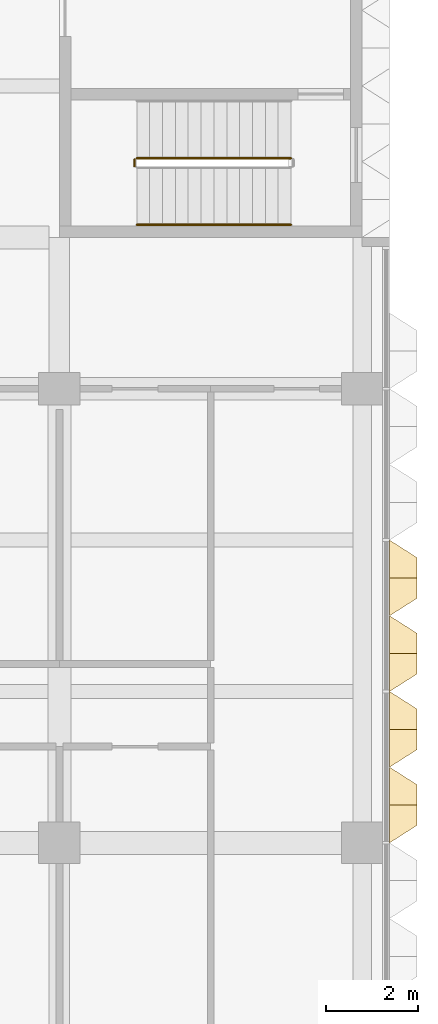
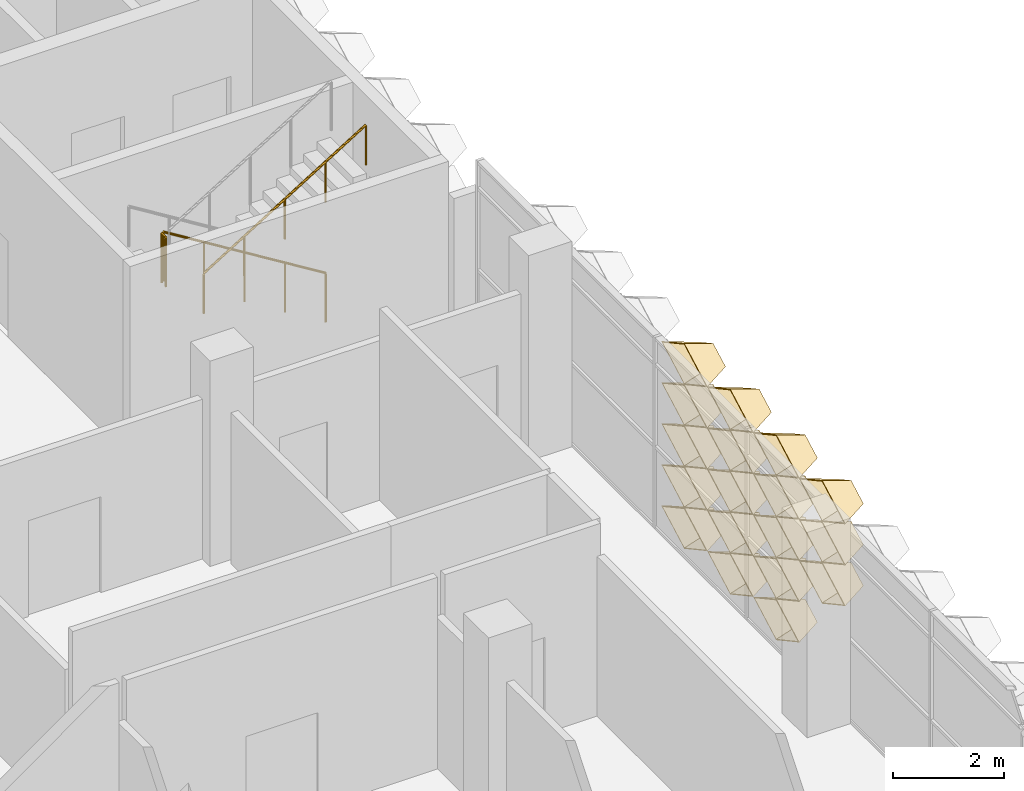
# One storey, part 62 of 87: 18 coverings, 3 railings.
"""IFC4 building model written with IfcOpenShell, lengths in metres."""

from ifc_helpers import new_model, entity, si_unit, direction, frame, origin, origin_2d, place, context, subcontext, project, spatial, circle, extrude, material, layer, layer_set, type_object, element, save


model = new_model("IFC4")

# Units and contexts
model_context = context("Model", 3, precision=1e-05, world=origin(), true_north=direction((0.0, 1.0)))
body_context = subcontext(model_context, "Body", "Model", "MODEL_VIEW")
ifc_project = project(units=[si_unit("LENGTHUNIT", "METRE"), si_unit("AREAUNIT", "SQUARE_METRE"), si_unit("VOLUMEUNIT", "CUBIC_METRE"), si_unit("PLANEANGLEUNIT", "RADIAN"), si_unit("MASSUNIT", "GRAM", prefix="KILO")], contexts=[model_context])

# Site, building, storey
site_placement = place(None, origin())
site = spatial("IfcSite", under=ifc_project, at=site_placement, CompositionType="ELEMENT")
building_placement = place(site_placement, origin())
building = spatial("IfcBuilding", under=site, at=building_placement, Name="Lantern Court Research Institute", CompositionType="ELEMENT")
storey_placement = place(building_placement, frame((0.0, 0.0, 5.39990234375)))
storey = spatial("IfcBuildingStorey", under=building, at=storey_placement, Name="L01", CompositionType="ELEMENT", Elevation=5.39990234375)

# Coverings
ifc_material_1 = material(Name="Anodised aluminium", Category="aluminium")
ifc_layer = layer(ifc_material_1, 0.01611328125)
ifc_layer_set = layer_set([ifc_layer], Name="Anodised aluminium")
covering_type = type_object("IfcCoveringType", Name="Fin cassette 1650 x 900 x 600 aluminium", PredefinedType="CLADDING", material=ifc_layer_set)
covering_1_placement = place(storey_placement, frame((79.800048828125, 2.47509765625, 0.4501953125), z_axis=(1.0, 0.0, 0.0), x_axis=(0.0, 1.0, 0.0)))
cartesian_point_1 = entity("IfcCartesianPoint", [0.824951171875, 0.0])
cartesian_point_2 = entity("IfcCartesianPoint", [0.79150390625, 0.0])
cartesian_point_3 = entity("IfcCartesianPoint", [0.44189453125, 0.0])
cartesian_point_4 = entity("IfcCartesianPoint", [0.43359375, 0.0])
element("IfcCovering", 1, at=covering_1_placement, inside=storey, type_object=covering_type, Name="Fin cassette V5E-L01 1.2", PredefinedType="CLADDING", context=body_context, shape_type="SweptSolid", body=[
    entity("IfcExtrudedAreaSolidTapered", entity("IfcArbitraryProfileDefWithVoids", "AREA", None, entity("IfcPolyline", [cartesian_point_1, entity("IfcCartesianPoint", [0.0, 0.449951171875]), entity("IfcCartesianPoint", [-0.824951171875, 0.0]), entity("IfcCartesianPoint", [0.0, -0.449951171875]), cartesian_point_1]), [entity("IfcPolyline", [cartesian_point_2, entity("IfcCartesianPoint", [0.0, 0.431884765625]), entity("IfcCartesianPoint", [-0.79150390625, 0.0]), entity("IfcCartesianPoint", [0.0, -0.431884765625]), cartesian_point_2])]), entity("IfcAxis2Placement3D", entity("IfcCartesianPoint", [0.0, 0.0, 0.0])), entity("IfcDirection", [0.0, 0.0, 1.0]), 0.60009765625, entity("IfcArbitraryProfileDefWithVoids", "AREA", None, entity("IfcPolyline", [cartesian_point_3, entity("IfcCartesianPoint", [0.0, 0.240966796875]), entity("IfcCartesianPoint", [-0.44189453125, 0.0]), entity("IfcCartesianPoint", [0.0, -0.240966796875]), cartesian_point_3]), [entity("IfcPolyline", [cartesian_point_4, entity("IfcCartesianPoint", [0.0, 0.236572265625]), entity("IfcCartesianPoint", [-0.43359375, 0.0]), entity("IfcCartesianPoint", [0.0, -0.236572265625]), cartesian_point_4])])),
])
covering_2_placement = place(storey_placement, frame((79.800048828125, 4.125, 0.4501953125), z_axis=(1.0, 0.0, 0.0), x_axis=(0.0, 1.0, 0.0)))
cartesian_point_5 = entity("IfcCartesianPoint", [0.824951171875, 0.0])
cartesian_point_6 = entity("IfcCartesianPoint", [0.79150390625, 0.0])
cartesian_point_7 = entity("IfcCartesianPoint", [0.44189453125, 0.0])
cartesian_point_8 = entity("IfcCartesianPoint", [0.43359375, 0.0])
element("IfcCovering", 2, at=covering_2_placement, inside=storey, type_object=covering_type, Name="Fin cassette V5E-L01 1.3", PredefinedType="CLADDING", context=body_context, shape_type="SweptSolid", body=[
    entity("IfcExtrudedAreaSolidTapered", entity("IfcArbitraryProfileDefWithVoids", "AREA", None, entity("IfcPolyline", [cartesian_point_5, entity("IfcCartesianPoint", [0.0, 0.449951171875]), entity("IfcCartesianPoint", [-0.824951171875, 0.0]), entity("IfcCartesianPoint", [0.0, -0.449951171875]), cartesian_point_5]), [entity("IfcPolyline", [cartesian_point_6, entity("IfcCartesianPoint", [0.0, 0.431884765625]), entity("IfcCartesianPoint", [-0.79150390625, 0.0]), entity("IfcCartesianPoint", [0.0, -0.431884765625]), cartesian_point_6])]), entity("IfcAxis2Placement3D", entity("IfcCartesianPoint", [0.0, 0.0, 0.0])), entity("IfcDirection", [0.0, 0.0, 1.0]), 0.60009765625, entity("IfcArbitraryProfileDefWithVoids", "AREA", None, entity("IfcPolyline", [cartesian_point_7, entity("IfcCartesianPoint", [0.0, 0.240966796875]), entity("IfcCartesianPoint", [-0.44189453125, 0.0]), entity("IfcCartesianPoint", [0.0, -0.240966796875]), cartesian_point_7]), [entity("IfcPolyline", [cartesian_point_8, entity("IfcCartesianPoint", [0.0, 0.236572265625]), entity("IfcCartesianPoint", [-0.43359375, 0.0]), entity("IfcCartesianPoint", [0.0, -0.236572265625]), cartesian_point_8])])),
])
covering_3_placement = place(storey_placement, frame((79.800048828125, 5.77490234375, 0.4501953125), z_axis=(1.0, 0.0, 0.0), x_axis=(0.0, 1.0, 0.0)))
cartesian_point_9 = entity("IfcCartesianPoint", [0.824951171875, 0.0])
cartesian_point_10 = entity("IfcCartesianPoint", [0.79150390625, 0.0])
cartesian_point_11 = entity("IfcCartesianPoint", [0.44189453125, 0.0])
cartesian_point_12 = entity("IfcCartesianPoint", [0.43359375, 0.0])
element("IfcCovering", 3, at=covering_3_placement, inside=storey, type_object=covering_type, Name="Fin cassette V5E-L01 1.4", PredefinedType="CLADDING", context=body_context, shape_type="SweptSolid", body=[
    entity("IfcExtrudedAreaSolidTapered", entity("IfcArbitraryProfileDefWithVoids", "AREA", None, entity("IfcPolyline", [cartesian_point_9, entity("IfcCartesianPoint", [0.0, 0.449951171875]), entity("IfcCartesianPoint", [-0.824951171875, 0.0]), entity("IfcCartesianPoint", [0.0, -0.449951171875]), cartesian_point_9]), [entity("IfcPolyline", [cartesian_point_10, entity("IfcCartesianPoint", [0.0, 0.431884765625]), entity("IfcCartesianPoint", [-0.79150390625, 0.0]), entity("IfcCartesianPoint", [0.0, -0.431884765625]), cartesian_point_10])]), entity("IfcAxis2Placement3D", entity("IfcCartesianPoint", [0.0, 0.0, 0.0])), entity("IfcDirection", [0.0, 0.0, 1.0]), 0.60009765625, entity("IfcArbitraryProfileDefWithVoids", "AREA", None, entity("IfcPolyline", [cartesian_point_11, entity("IfcCartesianPoint", [0.0, 0.240966796875]), entity("IfcCartesianPoint", [-0.44189453125, 0.0]), entity("IfcCartesianPoint", [0.0, -0.240966796875]), cartesian_point_11]), [entity("IfcPolyline", [cartesian_point_12, entity("IfcCartesianPoint", [0.0, 0.236572265625]), entity("IfcCartesianPoint", [-0.43359375, 0.0]), entity("IfcCartesianPoint", [0.0, -0.236572265625]), cartesian_point_12])])),
])
covering_4_placement = place(storey_placement, frame((79.800048828125, 2.47509765625, 1.35009765625), z_axis=(1.0, 0.0, 0.0), x_axis=(0.0, 1.0, 0.0)))
cartesian_point_13 = entity("IfcCartesianPoint", [0.824951171875, 0.0])
cartesian_point_14 = entity("IfcCartesianPoint", [0.79150390625, 0.0])
cartesian_point_15 = entity("IfcCartesianPoint", [0.44189453125, 0.0])
cartesian_point_16 = entity("IfcCartesianPoint", [0.43359375, 0.0])
element("IfcCovering", 4, at=covering_4_placement, inside=storey, type_object=covering_type, Name="Fin cassette V5E-L01 2.2", PredefinedType="CLADDING", context=body_context, shape_type="SweptSolid", body=[
    entity("IfcExtrudedAreaSolidTapered", entity("IfcArbitraryProfileDefWithVoids", "AREA", None, entity("IfcPolyline", [cartesian_point_13, entity("IfcCartesianPoint", [0.0, 0.449951171875]), entity("IfcCartesianPoint", [-0.824951171875, 0.0]), entity("IfcCartesianPoint", [0.0, -0.449951171875]), cartesian_point_13]), [entity("IfcPolyline", [cartesian_point_14, entity("IfcCartesianPoint", [0.0, 0.431884765625]), entity("IfcCartesianPoint", [-0.79150390625, 0.0]), entity("IfcCartesianPoint", [0.0, -0.431884765625]), cartesian_point_14])]), entity("IfcAxis2Placement3D", entity("IfcCartesianPoint", [0.0, 0.0, 0.0])), entity("IfcDirection", [0.0, 0.0, 1.0]), 0.60009765625, entity("IfcArbitraryProfileDefWithVoids", "AREA", None, entity("IfcPolyline", [cartesian_point_15, entity("IfcCartesianPoint", [0.0, 0.240966796875]), entity("IfcCartesianPoint", [-0.44189453125, 0.0]), entity("IfcCartesianPoint", [0.0, -0.240966796875]), cartesian_point_15]), [entity("IfcPolyline", [cartesian_point_16, entity("IfcCartesianPoint", [0.0, 0.236572265625]), entity("IfcCartesianPoint", [-0.43359375, 0.0]), entity("IfcCartesianPoint", [0.0, -0.236572265625]), cartesian_point_16])])),
])
covering_5_placement = place(storey_placement, frame((79.800048828125, 4.125, 1.35009765625), z_axis=(1.0, 0.0, 0.0), x_axis=(0.0, 1.0, 0.0)))
cartesian_point_17 = entity("IfcCartesianPoint", [0.824951171875, 0.0])
cartesian_point_18 = entity("IfcCartesianPoint", [0.79150390625, 0.0])
cartesian_point_19 = entity("IfcCartesianPoint", [0.44189453125, 0.0])
cartesian_point_20 = entity("IfcCartesianPoint", [0.43359375, 0.0])
element("IfcCovering", 5, at=covering_5_placement, inside=storey, type_object=covering_type, Name="Fin cassette V5E-L01 2.3", PredefinedType="CLADDING", context=body_context, shape_type="SweptSolid", body=[
    entity("IfcExtrudedAreaSolidTapered", entity("IfcArbitraryProfileDefWithVoids", "AREA", None, entity("IfcPolyline", [cartesian_point_17, entity("IfcCartesianPoint", [0.0, 0.449951171875]), entity("IfcCartesianPoint", [-0.824951171875, 0.0]), entity("IfcCartesianPoint", [0.0, -0.449951171875]), cartesian_point_17]), [entity("IfcPolyline", [cartesian_point_18, entity("IfcCartesianPoint", [0.0, 0.431884765625]), entity("IfcCartesianPoint", [-0.79150390625, 0.0]), entity("IfcCartesianPoint", [0.0, -0.431884765625]), cartesian_point_18])]), entity("IfcAxis2Placement3D", entity("IfcCartesianPoint", [0.0, 0.0, 0.0])), entity("IfcDirection", [0.0, 0.0, 1.0]), 0.60009765625, entity("IfcArbitraryProfileDefWithVoids", "AREA", None, entity("IfcPolyline", [cartesian_point_19, entity("IfcCartesianPoint", [0.0, 0.240966796875]), entity("IfcCartesianPoint", [-0.44189453125, 0.0]), entity("IfcCartesianPoint", [0.0, -0.240966796875]), cartesian_point_19]), [entity("IfcPolyline", [cartesian_point_20, entity("IfcCartesianPoint", [0.0, 0.236572265625]), entity("IfcCartesianPoint", [-0.43359375, 0.0]), entity("IfcCartesianPoint", [0.0, -0.236572265625]), cartesian_point_20])])),
])
covering_6_placement = place(storey_placement, frame((79.800048828125, 5.77490234375, 1.35009765625), z_axis=(1.0, 0.0, 0.0), x_axis=(0.0, 1.0, 0.0)))
cartesian_point_21 = entity("IfcCartesianPoint", [0.824951171875, 0.0])
cartesian_point_22 = entity("IfcCartesianPoint", [0.79150390625, 0.0])
cartesian_point_23 = entity("IfcCartesianPoint", [0.44189453125, 0.0])
cartesian_point_24 = entity("IfcCartesianPoint", [0.43359375, 0.0])
element("IfcCovering", 6, at=covering_6_placement, inside=storey, type_object=covering_type, Name="Fin cassette V5E-L01 2.4", PredefinedType="CLADDING", context=body_context, shape_type="SweptSolid", body=[
    entity("IfcExtrudedAreaSolidTapered", entity("IfcArbitraryProfileDefWithVoids", "AREA", None, entity("IfcPolyline", [cartesian_point_21, entity("IfcCartesianPoint", [0.0, 0.449951171875]), entity("IfcCartesianPoint", [-0.824951171875, 0.0]), entity("IfcCartesianPoint", [0.0, -0.449951171875]), cartesian_point_21]), [entity("IfcPolyline", [cartesian_point_22, entity("IfcCartesianPoint", [0.0, 0.431884765625]), entity("IfcCartesianPoint", [-0.79150390625, 0.0]), entity("IfcCartesianPoint", [0.0, -0.431884765625]), cartesian_point_22])]), entity("IfcAxis2Placement3D", entity("IfcCartesianPoint", [0.0, 0.0, 0.0])), entity("IfcDirection", [0.0, 0.0, 1.0]), 0.60009765625, entity("IfcArbitraryProfileDefWithVoids", "AREA", None, entity("IfcPolyline", [cartesian_point_23, entity("IfcCartesianPoint", [0.0, 0.240966796875]), entity("IfcCartesianPoint", [-0.44189453125, 0.0]), entity("IfcCartesianPoint", [0.0, -0.240966796875]), cartesian_point_23]), [entity("IfcPolyline", [cartesian_point_24, entity("IfcCartesianPoint", [0.0, 0.236572265625]), entity("IfcCartesianPoint", [-0.43359375, 0.0]), entity("IfcCartesianPoint", [0.0, -0.236572265625]), cartesian_point_24])])),
])
covering_7_placement = place(storey_placement, frame((79.800048828125, 0.824951171875, 2.25), z_axis=(1.0, 0.0, 0.0), x_axis=(0.0, 1.0, 0.0)))
cartesian_point_25 = entity("IfcCartesianPoint", [0.824951171875, 0.0])
cartesian_point_26 = entity("IfcCartesianPoint", [0.79150390625, 0.0])
cartesian_point_27 = entity("IfcCartesianPoint", [0.44189453125, 0.0])
cartesian_point_28 = entity("IfcCartesianPoint", [0.43359375, 0.0])
element("IfcCovering", 7, at=covering_7_placement, inside=storey, type_object=covering_type, Name="Fin cassette V5E-L01 3.1", PredefinedType="CLADDING", context=body_context, shape_type="SweptSolid", body=[
    entity("IfcExtrudedAreaSolidTapered", entity("IfcArbitraryProfileDefWithVoids", "AREA", None, entity("IfcPolyline", [cartesian_point_25, entity("IfcCartesianPoint", [0.0, 0.449951171875]), entity("IfcCartesianPoint", [-0.824951171875, 0.0]), entity("IfcCartesianPoint", [0.0, -0.449951171875]), cartesian_point_25]), [entity("IfcPolyline", [cartesian_point_26, entity("IfcCartesianPoint", [0.0, 0.431884765625]), entity("IfcCartesianPoint", [-0.79150390625, 0.0]), entity("IfcCartesianPoint", [0.0, -0.431884765625]), cartesian_point_26])]), entity("IfcAxis2Placement3D", entity("IfcCartesianPoint", [0.0, 0.0, 0.0])), entity("IfcDirection", [0.0, 0.0, 1.0]), 0.60009765625, entity("IfcArbitraryProfileDefWithVoids", "AREA", None, entity("IfcPolyline", [cartesian_point_27, entity("IfcCartesianPoint", [0.0, 0.240966796875]), entity("IfcCartesianPoint", [-0.44189453125, 0.0]), entity("IfcCartesianPoint", [0.0, -0.240966796875]), cartesian_point_27]), [entity("IfcPolyline", [cartesian_point_28, entity("IfcCartesianPoint", [0.0, 0.236572265625]), entity("IfcCartesianPoint", [-0.43359375, 0.0]), entity("IfcCartesianPoint", [0.0, -0.236572265625]), cartesian_point_28])])),
])
covering_8_placement = place(storey_placement, frame((79.800048828125, 2.47509765625, 2.25), z_axis=(1.0, 0.0, 0.0), x_axis=(0.0, 1.0, 0.0)))
cartesian_point_29 = entity("IfcCartesianPoint", [0.824951171875, 0.0])
cartesian_point_30 = entity("IfcCartesianPoint", [0.79150390625, 0.0])
cartesian_point_31 = entity("IfcCartesianPoint", [0.44189453125, 0.0])
cartesian_point_32 = entity("IfcCartesianPoint", [0.43359375, 0.0])
element("IfcCovering", 8, at=covering_8_placement, inside=storey, type_object=covering_type, Name="Fin cassette V5E-L01 3.2", PredefinedType="CLADDING", context=body_context, shape_type="SweptSolid", body=[
    entity("IfcExtrudedAreaSolidTapered", entity("IfcArbitraryProfileDefWithVoids", "AREA", None, entity("IfcPolyline", [cartesian_point_29, entity("IfcCartesianPoint", [0.0, 0.449951171875]), entity("IfcCartesianPoint", [-0.824951171875, 0.0]), entity("IfcCartesianPoint", [0.0, -0.449951171875]), cartesian_point_29]), [entity("IfcPolyline", [cartesian_point_30, entity("IfcCartesianPoint", [0.0, 0.431884765625]), entity("IfcCartesianPoint", [-0.79150390625, 0.0]), entity("IfcCartesianPoint", [0.0, -0.431884765625]), cartesian_point_30])]), entity("IfcAxis2Placement3D", entity("IfcCartesianPoint", [0.0, 0.0, 0.0])), entity("IfcDirection", [0.0, 0.0, 1.0]), 0.60009765625, entity("IfcArbitraryProfileDefWithVoids", "AREA", None, entity("IfcPolyline", [cartesian_point_31, entity("IfcCartesianPoint", [0.0, 0.240966796875]), entity("IfcCartesianPoint", [-0.44189453125, 0.0]), entity("IfcCartesianPoint", [0.0, -0.240966796875]), cartesian_point_31]), [entity("IfcPolyline", [cartesian_point_32, entity("IfcCartesianPoint", [0.0, 0.236572265625]), entity("IfcCartesianPoint", [-0.43359375, 0.0]), entity("IfcCartesianPoint", [0.0, -0.236572265625]), cartesian_point_32])])),
])
covering_9_placement = place(storey_placement, frame((79.800048828125, 4.125, 2.25), z_axis=(1.0, 0.0, 0.0), x_axis=(0.0, 1.0, 0.0)))
cartesian_point_33 = entity("IfcCartesianPoint", [0.824951171875, 0.0])
cartesian_point_34 = entity("IfcCartesianPoint", [0.79150390625, 0.0])
cartesian_point_35 = entity("IfcCartesianPoint", [0.44189453125, 0.0])
cartesian_point_36 = entity("IfcCartesianPoint", [0.43359375, 0.0])
element("IfcCovering", 9, at=covering_9_placement, inside=storey, type_object=covering_type, Name="Fin cassette V5E-L01 3.3", PredefinedType="CLADDING", context=body_context, shape_type="SweptSolid", body=[
    entity("IfcExtrudedAreaSolidTapered", entity("IfcArbitraryProfileDefWithVoids", "AREA", None, entity("IfcPolyline", [cartesian_point_33, entity("IfcCartesianPoint", [0.0, 0.449951171875]), entity("IfcCartesianPoint", [-0.824951171875, 0.0]), entity("IfcCartesianPoint", [0.0, -0.449951171875]), cartesian_point_33]), [entity("IfcPolyline", [cartesian_point_34, entity("IfcCartesianPoint", [0.0, 0.431884765625]), entity("IfcCartesianPoint", [-0.79150390625, 0.0]), entity("IfcCartesianPoint", [0.0, -0.431884765625]), cartesian_point_34])]), entity("IfcAxis2Placement3D", entity("IfcCartesianPoint", [0.0, 0.0, 0.0])), entity("IfcDirection", [0.0, 0.0, 1.0]), 0.60009765625, entity("IfcArbitraryProfileDefWithVoids", "AREA", None, entity("IfcPolyline", [cartesian_point_35, entity("IfcCartesianPoint", [0.0, 0.240966796875]), entity("IfcCartesianPoint", [-0.44189453125, 0.0]), entity("IfcCartesianPoint", [0.0, -0.240966796875]), cartesian_point_35]), [entity("IfcPolyline", [cartesian_point_36, entity("IfcCartesianPoint", [0.0, 0.236572265625]), entity("IfcCartesianPoint", [-0.43359375, 0.0]), entity("IfcCartesianPoint", [0.0, -0.236572265625]), cartesian_point_36])])),
])
covering_10_placement = place(storey_placement, frame((79.800048828125, 5.77490234375, 2.25), z_axis=(1.0, 0.0, 0.0), x_axis=(0.0, 1.0, 0.0)))
cartesian_point_37 = entity("IfcCartesianPoint", [0.824951171875, 0.0])
cartesian_point_38 = entity("IfcCartesianPoint", [0.79150390625, 0.0])
cartesian_point_39 = entity("IfcCartesianPoint", [0.44189453125, 0.0])
cartesian_point_40 = entity("IfcCartesianPoint", [0.43359375, 0.0])
element("IfcCovering", 10, at=covering_10_placement, inside=storey, type_object=covering_type, Name="Fin cassette V5E-L01 3.4", PredefinedType="CLADDING", context=body_context, shape_type="SweptSolid", body=[
    entity("IfcExtrudedAreaSolidTapered", entity("IfcArbitraryProfileDefWithVoids", "AREA", None, entity("IfcPolyline", [cartesian_point_37, entity("IfcCartesianPoint", [0.0, 0.449951171875]), entity("IfcCartesianPoint", [-0.824951171875, 0.0]), entity("IfcCartesianPoint", [0.0, -0.449951171875]), cartesian_point_37]), [entity("IfcPolyline", [cartesian_point_38, entity("IfcCartesianPoint", [0.0, 0.431884765625]), entity("IfcCartesianPoint", [-0.79150390625, 0.0]), entity("IfcCartesianPoint", [0.0, -0.431884765625]), cartesian_point_38])]), entity("IfcAxis2Placement3D", entity("IfcCartesianPoint", [0.0, 0.0, 0.0])), entity("IfcDirection", [0.0, 0.0, 1.0]), 0.60009765625, entity("IfcArbitraryProfileDefWithVoids", "AREA", None, entity("IfcPolyline", [cartesian_point_39, entity("IfcCartesianPoint", [0.0, 0.240966796875]), entity("IfcCartesianPoint", [-0.44189453125, 0.0]), entity("IfcCartesianPoint", [0.0, -0.240966796875]), cartesian_point_39]), [entity("IfcPolyline", [cartesian_point_40, entity("IfcCartesianPoint", [0.0, 0.236572265625]), entity("IfcCartesianPoint", [-0.43359375, 0.0]), entity("IfcCartesianPoint", [0.0, -0.236572265625]), cartesian_point_40])])),
])
covering_11_placement = place(storey_placement, frame((79.800048828125, 0.824951171875, 3.150146484375), z_axis=(1.0, 0.0, 0.0), x_axis=(0.0, 1.0, 0.0)))
cartesian_point_41 = entity("IfcCartesianPoint", [0.824951171875, 0.0])
cartesian_point_42 = entity("IfcCartesianPoint", [0.79150390625, 0.0])
cartesian_point_43 = entity("IfcCartesianPoint", [0.44189453125, 0.0])
cartesian_point_44 = entity("IfcCartesianPoint", [0.43359375, 0.0])
element("IfcCovering", 11, at=covering_11_placement, inside=storey, type_object=covering_type, Name="Fin cassette V5E-L01 4.1", PredefinedType="CLADDING", context=body_context, shape_type="SweptSolid", body=[
    entity("IfcExtrudedAreaSolidTapered", entity("IfcArbitraryProfileDefWithVoids", "AREA", None, entity("IfcPolyline", [cartesian_point_41, entity("IfcCartesianPoint", [0.0, 0.449951171875]), entity("IfcCartesianPoint", [-0.824951171875, 0.0]), entity("IfcCartesianPoint", [0.0, -0.449951171875]), cartesian_point_41]), [entity("IfcPolyline", [cartesian_point_42, entity("IfcCartesianPoint", [0.0, 0.431884765625]), entity("IfcCartesianPoint", [-0.79150390625, 0.0]), entity("IfcCartesianPoint", [0.0, -0.431884765625]), cartesian_point_42])]), entity("IfcAxis2Placement3D", entity("IfcCartesianPoint", [0.0, 0.0, 0.0])), entity("IfcDirection", [0.0, 0.0, 1.0]), 0.60009765625, entity("IfcArbitraryProfileDefWithVoids", "AREA", None, entity("IfcPolyline", [cartesian_point_43, entity("IfcCartesianPoint", [0.0, 0.240966796875]), entity("IfcCartesianPoint", [-0.44189453125, 0.0]), entity("IfcCartesianPoint", [0.0, -0.240966796875]), cartesian_point_43]), [entity("IfcPolyline", [cartesian_point_44, entity("IfcCartesianPoint", [0.0, 0.236572265625]), entity("IfcCartesianPoint", [-0.43359375, 0.0]), entity("IfcCartesianPoint", [0.0, -0.236572265625]), cartesian_point_44])])),
])
covering_12_placement = place(storey_placement, frame((79.800048828125, 2.47509765625, 3.150146484375), z_axis=(1.0, 0.0, 0.0), x_axis=(0.0, 1.0, 0.0)))
cartesian_point_45 = entity("IfcCartesianPoint", [0.824951171875, 0.0])
cartesian_point_46 = entity("IfcCartesianPoint", [0.79150390625, 0.0])
cartesian_point_47 = entity("IfcCartesianPoint", [0.44189453125, 0.0])
cartesian_point_48 = entity("IfcCartesianPoint", [0.43359375, 0.0])
element("IfcCovering", 12, at=covering_12_placement, inside=storey, type_object=covering_type, Name="Fin cassette V5E-L01 4.2", PredefinedType="CLADDING", context=body_context, shape_type="SweptSolid", body=[
    entity("IfcExtrudedAreaSolidTapered", entity("IfcArbitraryProfileDefWithVoids", "AREA", None, entity("IfcPolyline", [cartesian_point_45, entity("IfcCartesianPoint", [0.0, 0.449951171875]), entity("IfcCartesianPoint", [-0.824951171875, 0.0]), entity("IfcCartesianPoint", [0.0, -0.449951171875]), cartesian_point_45]), [entity("IfcPolyline", [cartesian_point_46, entity("IfcCartesianPoint", [0.0, 0.431884765625]), entity("IfcCartesianPoint", [-0.79150390625, 0.0]), entity("IfcCartesianPoint", [0.0, -0.431884765625]), cartesian_point_46])]), entity("IfcAxis2Placement3D", entity("IfcCartesianPoint", [0.0, 0.0, 0.0])), entity("IfcDirection", [0.0, 0.0, 1.0]), 0.60009765625, entity("IfcArbitraryProfileDefWithVoids", "AREA", None, entity("IfcPolyline", [cartesian_point_47, entity("IfcCartesianPoint", [0.0, 0.240966796875]), entity("IfcCartesianPoint", [-0.44189453125, 0.0]), entity("IfcCartesianPoint", [0.0, -0.240966796875]), cartesian_point_47]), [entity("IfcPolyline", [cartesian_point_48, entity("IfcCartesianPoint", [0.0, 0.236572265625]), entity("IfcCartesianPoint", [-0.43359375, 0.0]), entity("IfcCartesianPoint", [0.0, -0.236572265625]), cartesian_point_48])])),
])
covering_13_placement = place(storey_placement, frame((79.800048828125, 4.125, 3.150146484375), z_axis=(1.0, 0.0, 0.0), x_axis=(0.0, 1.0, 0.0)))
cartesian_point_49 = entity("IfcCartesianPoint", [0.824951171875, 0.0])
cartesian_point_50 = entity("IfcCartesianPoint", [0.79150390625, 0.0])
cartesian_point_51 = entity("IfcCartesianPoint", [0.44189453125, 0.0])
cartesian_point_52 = entity("IfcCartesianPoint", [0.43359375, 0.0])
element("IfcCovering", 13, at=covering_13_placement, inside=storey, type_object=covering_type, Name="Fin cassette V5E-L01 4.3", PredefinedType="CLADDING", context=body_context, shape_type="SweptSolid", body=[
    entity("IfcExtrudedAreaSolidTapered", entity("IfcArbitraryProfileDefWithVoids", "AREA", None, entity("IfcPolyline", [cartesian_point_49, entity("IfcCartesianPoint", [0.0, 0.449951171875]), entity("IfcCartesianPoint", [-0.824951171875, 0.0]), entity("IfcCartesianPoint", [0.0, -0.449951171875]), cartesian_point_49]), [entity("IfcPolyline", [cartesian_point_50, entity("IfcCartesianPoint", [0.0, 0.431884765625]), entity("IfcCartesianPoint", [-0.79150390625, 0.0]), entity("IfcCartesianPoint", [0.0, -0.431884765625]), cartesian_point_50])]), entity("IfcAxis2Placement3D", entity("IfcCartesianPoint", [0.0, 0.0, 0.0])), entity("IfcDirection", [0.0, 0.0, 1.0]), 0.60009765625, entity("IfcArbitraryProfileDefWithVoids", "AREA", None, entity("IfcPolyline", [cartesian_point_51, entity("IfcCartesianPoint", [0.0, 0.240966796875]), entity("IfcCartesianPoint", [-0.44189453125, 0.0]), entity("IfcCartesianPoint", [0.0, -0.240966796875]), cartesian_point_51]), [entity("IfcPolyline", [cartesian_point_52, entity("IfcCartesianPoint", [0.0, 0.236572265625]), entity("IfcCartesianPoint", [-0.43359375, 0.0]), entity("IfcCartesianPoint", [0.0, -0.236572265625]), cartesian_point_52])])),
])
covering_14_placement = place(storey_placement, frame((79.800048828125, 5.77490234375, 3.150146484375), z_axis=(1.0, 0.0, 0.0), x_axis=(0.0, 1.0, 0.0)))
cartesian_point_53 = entity("IfcCartesianPoint", [0.824951171875, 0.0])
cartesian_point_54 = entity("IfcCartesianPoint", [0.79150390625, 0.0])
cartesian_point_55 = entity("IfcCartesianPoint", [0.44189453125, 0.0])
cartesian_point_56 = entity("IfcCartesianPoint", [0.43359375, 0.0])
element("IfcCovering", 14, at=covering_14_placement, inside=storey, type_object=covering_type, Name="Fin cassette V5E-L01 4.4", PredefinedType="CLADDING", context=body_context, shape_type="SweptSolid", body=[
    entity("IfcExtrudedAreaSolidTapered", entity("IfcArbitraryProfileDefWithVoids", "AREA", None, entity("IfcPolyline", [cartesian_point_53, entity("IfcCartesianPoint", [0.0, 0.449951171875]), entity("IfcCartesianPoint", [-0.824951171875, 0.0]), entity("IfcCartesianPoint", [0.0, -0.449951171875]), cartesian_point_53]), [entity("IfcPolyline", [cartesian_point_54, entity("IfcCartesianPoint", [0.0, 0.431884765625]), entity("IfcCartesianPoint", [-0.79150390625, 0.0]), entity("IfcCartesianPoint", [0.0, -0.431884765625]), cartesian_point_54])]), entity("IfcAxis2Placement3D", entity("IfcCartesianPoint", [0.0, 0.0, 0.0])), entity("IfcDirection", [0.0, 0.0, 1.0]), 0.60009765625, entity("IfcArbitraryProfileDefWithVoids", "AREA", None, entity("IfcPolyline", [cartesian_point_55, entity("IfcCartesianPoint", [0.0, 0.240966796875]), entity("IfcCartesianPoint", [-0.44189453125, 0.0]), entity("IfcCartesianPoint", [0.0, -0.240966796875]), cartesian_point_55]), [entity("IfcPolyline", [cartesian_point_56, entity("IfcCartesianPoint", [0.0, 0.236572265625]), entity("IfcCartesianPoint", [-0.43359375, 0.0]), entity("IfcCartesianPoint", [0.0, -0.236572265625]), cartesian_point_56])])),
])
covering_15_placement = place(storey_placement, frame((79.800048828125, 0.824951171875, 4.050048828125), z_axis=(1.0, 0.0, 0.0), x_axis=(0.0, 1.0, 0.0)))
cartesian_point_57 = entity("IfcCartesianPoint", [0.824951171875, 0.0])
cartesian_point_58 = entity("IfcCartesianPoint", [0.79150390625, 0.0])
cartesian_point_59 = entity("IfcCartesianPoint", [0.44189453125, 0.0])
cartesian_point_60 = entity("IfcCartesianPoint", [0.43359375, 0.0])
element("IfcCovering", 15, at=covering_15_placement, inside=storey, type_object=covering_type, Name="Fin cassette V5E-L01 5.1", PredefinedType="CLADDING", context=body_context, shape_type="SweptSolid", body=[
    entity("IfcExtrudedAreaSolidTapered", entity("IfcArbitraryProfileDefWithVoids", "AREA", None, entity("IfcPolyline", [cartesian_point_57, entity("IfcCartesianPoint", [0.0, 0.449951171875]), entity("IfcCartesianPoint", [-0.824951171875, 0.0]), entity("IfcCartesianPoint", [0.0, -0.449951171875]), cartesian_point_57]), [entity("IfcPolyline", [cartesian_point_58, entity("IfcCartesianPoint", [0.0, 0.431884765625]), entity("IfcCartesianPoint", [-0.79150390625, 0.0]), entity("IfcCartesianPoint", [0.0, -0.431884765625]), cartesian_point_58])]), entity("IfcAxis2Placement3D", entity("IfcCartesianPoint", [0.0, 0.0, 0.0])), entity("IfcDirection", [0.0, 0.0, 1.0]), 0.60009765625, entity("IfcArbitraryProfileDefWithVoids", "AREA", None, entity("IfcPolyline", [cartesian_point_59, entity("IfcCartesianPoint", [0.0, 0.240966796875]), entity("IfcCartesianPoint", [-0.44189453125, 0.0]), entity("IfcCartesianPoint", [0.0, -0.240966796875]), cartesian_point_59]), [entity("IfcPolyline", [cartesian_point_60, entity("IfcCartesianPoint", [0.0, 0.236572265625]), entity("IfcCartesianPoint", [-0.43359375, 0.0]), entity("IfcCartesianPoint", [0.0, -0.236572265625]), cartesian_point_60])])),
])
covering_16_placement = place(storey_placement, frame((79.800048828125, 2.47509765625, 4.050048828125), z_axis=(1.0, 0.0, 0.0), x_axis=(0.0, 1.0, 0.0)))
cartesian_point_61 = entity("IfcCartesianPoint", [0.824951171875, 0.0])
cartesian_point_62 = entity("IfcCartesianPoint", [0.79150390625, 0.0])
cartesian_point_63 = entity("IfcCartesianPoint", [0.44189453125, 0.0])
cartesian_point_64 = entity("IfcCartesianPoint", [0.43359375, 0.0])
element("IfcCovering", 16, at=covering_16_placement, inside=storey, type_object=covering_type, Name="Fin cassette V5E-L01 5.2", PredefinedType="CLADDING", context=body_context, shape_type="SweptSolid", body=[
    entity("IfcExtrudedAreaSolidTapered", entity("IfcArbitraryProfileDefWithVoids", "AREA", None, entity("IfcPolyline", [cartesian_point_61, entity("IfcCartesianPoint", [0.0, 0.449951171875]), entity("IfcCartesianPoint", [-0.824951171875, 0.0]), entity("IfcCartesianPoint", [0.0, -0.449951171875]), cartesian_point_61]), [entity("IfcPolyline", [cartesian_point_62, entity("IfcCartesianPoint", [0.0, 0.431884765625]), entity("IfcCartesianPoint", [-0.79150390625, 0.0]), entity("IfcCartesianPoint", [0.0, -0.431884765625]), cartesian_point_62])]), entity("IfcAxis2Placement3D", entity("IfcCartesianPoint", [0.0, 0.0, 0.0])), entity("IfcDirection", [0.0, 0.0, 1.0]), 0.60009765625, entity("IfcArbitraryProfileDefWithVoids", "AREA", None, entity("IfcPolyline", [cartesian_point_63, entity("IfcCartesianPoint", [0.0, 0.240966796875]), entity("IfcCartesianPoint", [-0.44189453125, 0.0]), entity("IfcCartesianPoint", [0.0, -0.240966796875]), cartesian_point_63]), [entity("IfcPolyline", [cartesian_point_64, entity("IfcCartesianPoint", [0.0, 0.236572265625]), entity("IfcCartesianPoint", [-0.43359375, 0.0]), entity("IfcCartesianPoint", [0.0, -0.236572265625]), cartesian_point_64])])),
])
covering_17_placement = place(storey_placement, frame((79.800048828125, 4.125, 4.050048828125), z_axis=(1.0, 0.0, 0.0), x_axis=(0.0, 1.0, 0.0)))
cartesian_point_65 = entity("IfcCartesianPoint", [0.824951171875, 0.0])
cartesian_point_66 = entity("IfcCartesianPoint", [0.79150390625, 0.0])
cartesian_point_67 = entity("IfcCartesianPoint", [0.44189453125, 0.0])
cartesian_point_68 = entity("IfcCartesianPoint", [0.43359375, 0.0])
element("IfcCovering", 17, at=covering_17_placement, inside=storey, type_object=covering_type, Name="Fin cassette V5E-L01 5.3", PredefinedType="CLADDING", context=body_context, shape_type="SweptSolid", body=[
    entity("IfcExtrudedAreaSolidTapered", entity("IfcArbitraryProfileDefWithVoids", "AREA", None, entity("IfcPolyline", [cartesian_point_65, entity("IfcCartesianPoint", [0.0, 0.449951171875]), entity("IfcCartesianPoint", [-0.824951171875, 0.0]), entity("IfcCartesianPoint", [0.0, -0.449951171875]), cartesian_point_65]), [entity("IfcPolyline", [cartesian_point_66, entity("IfcCartesianPoint", [0.0, 0.431884765625]), entity("IfcCartesianPoint", [-0.79150390625, 0.0]), entity("IfcCartesianPoint", [0.0, -0.431884765625]), cartesian_point_66])]), entity("IfcAxis2Placement3D", entity("IfcCartesianPoint", [0.0, 0.0, 0.0])), entity("IfcDirection", [0.0, 0.0, 1.0]), 0.60009765625, entity("IfcArbitraryProfileDefWithVoids", "AREA", None, entity("IfcPolyline", [cartesian_point_67, entity("IfcCartesianPoint", [0.0, 0.240966796875]), entity("IfcCartesianPoint", [-0.44189453125, 0.0]), entity("IfcCartesianPoint", [0.0, -0.240966796875]), cartesian_point_67]), [entity("IfcPolyline", [cartesian_point_68, entity("IfcCartesianPoint", [0.0, 0.236572265625]), entity("IfcCartesianPoint", [-0.43359375, 0.0]), entity("IfcCartesianPoint", [0.0, -0.236572265625]), cartesian_point_68])])),
])
covering_18_placement = place(storey_placement, frame((79.800048828125, 5.77490234375, 4.050048828125), z_axis=(1.0, 0.0, 0.0), x_axis=(0.0, 1.0, 0.0)))
cartesian_point_69 = entity("IfcCartesianPoint", [0.824951171875, 0.0])
cartesian_point_70 = entity("IfcCartesianPoint", [0.79150390625, 0.0])
cartesian_point_71 = entity("IfcCartesianPoint", [0.44189453125, 0.0])
cartesian_point_72 = entity("IfcCartesianPoint", [0.43359375, 0.0])
element("IfcCovering", 18, at=covering_18_placement, inside=storey, type_object=covering_type, Name="Fin cassette V5E-L01 5.4", PredefinedType="CLADDING", context=body_context, shape_type="SweptSolid", body=[
    entity("IfcExtrudedAreaSolidTapered", entity("IfcArbitraryProfileDefWithVoids", "AREA", None, entity("IfcPolyline", [cartesian_point_69, entity("IfcCartesianPoint", [0.0, 0.449951171875]), entity("IfcCartesianPoint", [-0.824951171875, 0.0]), entity("IfcCartesianPoint", [0.0, -0.449951171875]), cartesian_point_69]), [entity("IfcPolyline", [cartesian_point_70, entity("IfcCartesianPoint", [0.0, 0.431884765625]), entity("IfcCartesianPoint", [-0.79150390625, 0.0]), entity("IfcCartesianPoint", [0.0, -0.431884765625]), cartesian_point_70])]), entity("IfcAxis2Placement3D", entity("IfcCartesianPoint", [0.0, 0.0, 0.0])), entity("IfcDirection", [0.0, 0.0, 1.0]), 0.60009765625, entity("IfcArbitraryProfileDefWithVoids", "AREA", None, entity("IfcPolyline", [cartesian_point_71, entity("IfcCartesianPoint", [0.0, 0.240966796875]), entity("IfcCartesianPoint", [-0.44189453125, 0.0]), entity("IfcCartesianPoint", [0.0, -0.240966796875]), cartesian_point_71]), [entity("IfcPolyline", [cartesian_point_72, entity("IfcCartesianPoint", [0.0, 0.236572265625]), entity("IfcCartesianPoint", [-0.43359375, 0.0]), entity("IfcCartesianPoint", [0.0, -0.236572265625]), cartesian_point_72])])),
])

# Railings
ifc_material_2 = material(Name="Structural steel S355", Category="steel")
railing_type_1 = type_object("IfcRailingType", Name="Stair guard 1100 steel", PredefinedType="GUARDRAIL", material=ifc_material_2)
railing_1_placement = place(storey_placement, frame((77.64990234375, 14.925048828125, 0.173095703125)))
element("IfcRailing", 19, at=railing_1_placement, inside=storey, type_object=railing_type_1, Name="L01 ST-T2 stair guard 1", PredefinedType="GUARDRAIL", context=body_context, shape_type="SweptSolid", body=[
    extrude(circle(Radius=0.02392578125, at=origin_2d()), frame((0.0, 0.0, 1.076171875), z_axis=(-0.850606129759, 0.0, 0.525803396734), x_axis=(0.0, -1.0, 0.0)), (0.0, 0.0, 1.0), 3.949951171875),
    extrude(circle(Radius=0.02099609375, at=origin_2d()), origin(), (0.0, 0.0, 1.0), 1.052001953125),
    extrude(circle(Radius=0.02099609375, at=origin_2d()), frame((-0.83984375, 0.0, 0.519287109375)), (0.0, 0.0, 1.0), 1.052001953125),
    extrude(circle(Radius=0.02099609375, at=origin_2d()), frame((-1.679931640625, 0.0, 1.03857421875)), (0.0, 0.0, 1.0), 1.052001953125),
    extrude(circle(Radius=0.02099609375, at=origin_2d()), frame((-2.52001953125, 0.0, 1.5576171875)), (0.0, 0.0, 1.0), 1.052001953125),
    extrude(circle(Radius=0.02099609375, at=origin_2d()), frame((-3.35986328125, 0.0, 2.076904296875)), (0.0, 0.0, 1.0), 1.052001953125),
])
railing_2_placement = place(storey_placement, frame((74.239990234375, 14.89990234375, 2.25)))
element("IfcRailing", 20, at=railing_2_placement, inside=storey, type_object=railing_type_1, Name="L01 ST-T2 stair guard 2", PredefinedType="GUARDRAIL", context=body_context, shape_type="SweptSolid", body=[
    extrude(circle(Radius=0.02392578125, at=origin_2d()), frame((0.0, 0.0, 1.076171875), z_axis=(0.0, -1.0, 0.0), x_axis=(1.0, 0.0, 0.0)), (0.0, 0.0, 1.0), 0.14990234375),
    extrude(circle(Radius=0.02099609375, at=origin_2d()), origin(), (0.0, 0.0, 1.0), 1.052001953125),
    extrude(circle(Radius=0.02099609375, at=origin_2d()), frame((0.0, -0.14990234375, 0.0)), (0.0, 0.0, 1.0), 1.052001953125),
])
ifc_material_3 = material(Name="Stainless steel 316", Category="steel")
railing_type_2 = type_object("IfcRailingType", Name="Stair handrail 900 steel", PredefinedType="HANDRAIL", material=ifc_material_3)
railing_3_placement = place(storey_placement, frame((74.2900390625, 13.47509765625, 2.423095703125)))
element("IfcRailing", 21, at=railing_3_placement, inside=storey, type_object=railing_type_2, Name="L01 ST-T2 stair handrail 2", PredefinedType="HANDRAIL", context=body_context, shape_type="SweptSolid", body=[
    extrude(circle(Radius=0.02392578125, at=origin_2d()), frame((0.0, 0.0, 0.8759765625), z_axis=(0.850606129759, 0.0, 0.525803396734), x_axis=(0.0, 1.0, 0.0)), (0.0, 0.0, 1.0), 3.949951171875),
    extrude(circle(Radius=0.02099609375, at=origin_2d()), origin(), (0.0, 0.0, 1.0), 0.851806640625),
    extrude(circle(Radius=0.02099609375, at=origin_2d()), frame((0.83984375, 0.0, 0.519287109375)), (0.0, 0.0, 1.0), 0.851806640625),
    extrude(circle(Radius=0.02099609375, at=origin_2d()), frame((1.679931640625, 0.0, 1.03857421875)), (0.0, 0.0, 1.0), 0.851806640625),
    extrude(circle(Radius=0.02099609375, at=origin_2d()), frame((2.52001953125, 0.0, 1.5576171875)), (0.0, 0.0, 1.0), 0.851806640625),
    extrude(circle(Radius=0.02099609375, at=origin_2d()), frame((3.35986328125, 0.0, 2.076904296875)), (0.0, 0.0, 1.0), 0.851806640625),
])

save(model, "model.ifc")
